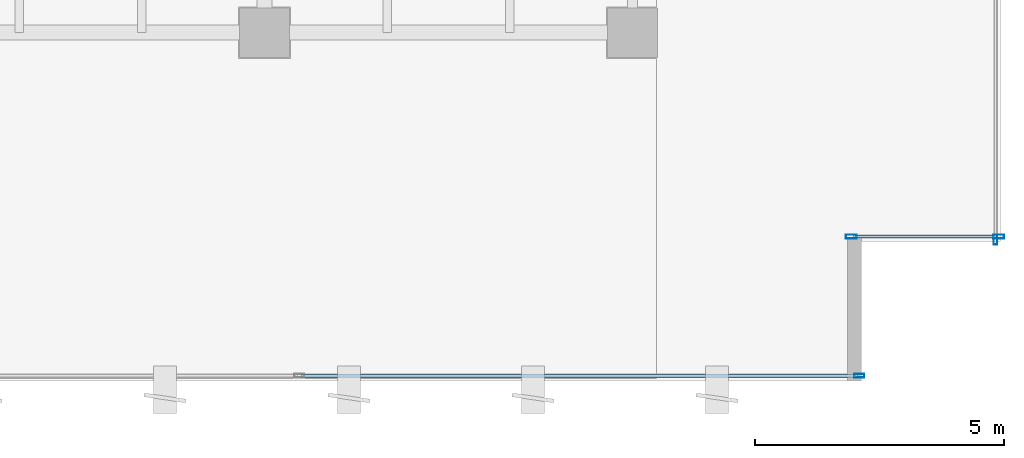
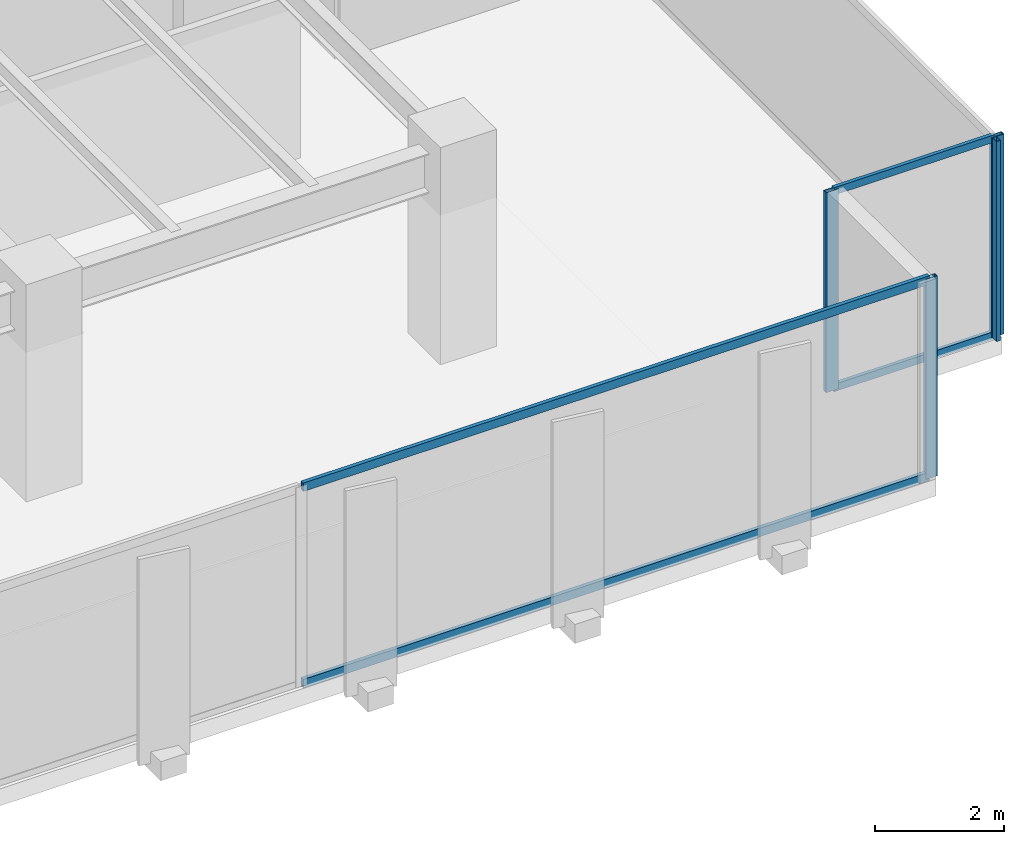
# One storey, part 23 of 37: 8 members, 3 elements without a shape of their own.
"""IFC4 building model written with IfcOpenShell, lengths in metres."""

from ifc_helpers import new_model, si_unit, direction, frame, origin, origin_2d, place, context, subcontext, project, spatial, hollow_rectangle, extrude, source, transform, mapped, material, layer, layer_set, material_profile, profile_set, type_object, type_shapes, element, aggregate, save


model = new_model("IFC4")

# Units and contexts
model_context = context("Model", 3, precision=1e-05, world=origin(), true_north=direction((0.0, 1.0)))
body_context = subcontext(model_context, "Body", "Model", "MODEL_VIEW")
ifc_project = project(units=[si_unit("LENGTHUNIT", "METRE"), si_unit("AREAUNIT", "SQUARE_METRE"), si_unit("VOLUMEUNIT", "CUBIC_METRE"), si_unit("PLANEANGLEUNIT", "RADIAN"), si_unit("MASSUNIT", "GRAM", prefix="KILO")], contexts=[model_context])

# Site, building, storey
site_placement = place(None, origin())
site = spatial("IfcSite", under=ifc_project, at=site_placement, CompositionType="ELEMENT")
building_placement = place(site_placement, origin())
building = spatial("IfcBuilding", under=site, at=building_placement, Name="Haelvirn Gate Laboratories", CompositionType="ELEMENT")
storey_placement = place(building_placement, frame((0.0, 0.0, 74.39990234375)))
storey = spatial("IfcBuildingStorey", under=building, at=storey_placement, Name="L18", CompositionType="ELEMENT", Elevation=74.39990234375)

# Curtain wall, member
ifc_material_1 = material(Name="Anodised bronze unitised aluminium & triple low-E glass", Category="aluminium")
ifc_layer_1 = layer(ifc_material_1, 0.18408203125, Name="CW-SYS-2")
ifc_layer_set_1 = layer_set([ifc_layer_1], Name="Anodised bronze unitised aluminium & triple low-E glass")
curtain_wall_type_1 = type_object("IfcCurtainWallType", Name="CW-SYS-2", PredefinedType="NOTDEFINED", material=ifc_layer_set_1)
curtain_wall_1_placement = place(storey_placement, origin())
curtain_wall_1 = element("IfcCurtainWall", 1, at=curtain_wall_1_placement, inside=storey, type_object=curtain_wall_type_1, Name="L18 Unitised Curtain Wall CW-L18-P0-E04-1", PredefinedType="NOTDEFINED")
ifc_material_2 = material(Name="Extruded aluminium 6063-T6 (anodised bronze)", Category="aluminium")
ifc_material_profile_1 = material_profile(ifc_material_2, hollow_rectangle(XDim=0.074951171875, YDim=0.199951171875, WallThickness=0.0048828125, at=origin_2d()), Name="CWM-200x75x5")
ifc_profile_set_1 = profile_set([ifc_material_profile_1], Name="Extruded aluminium 6063-T6 (anodised bronze)")
member_type_1 = type_object("IfcMemberType", Name="CWM-T200", PredefinedType="MULLION", material=ifc_profile_set_1)
shared_shape_1 = source(origin(), body_context, "Body", "SweptSolid", [
    extrude(hollow_rectangle(XDim=0.074951171875, YDim=0.199951171875, WallThickness=0.0048828125, at=origin_2d()), origin(), (0.0, 0.0, 1.0), 3.780029296875),
])
type_shapes(member_type_1, [shared_shape_1])
member_1_placement = place(storey_placement, frame((71.96240234375, 0.10009765625, 0.0), z_axis=(0.0, 0.0, 1.0), x_axis=(0.0, 1.0, 0.0)))
member_1 = element("IfcMember", 2, at=member_1_placement, type_object=member_type_1, Name="CW2 mullion 3", PredefinedType="MULLION", context=body_context, shape_type="MappedRepresentation", body=[
    mapped(shared_shape_1, transform((0.0, 0.0, 0.0), scale=1.0)),
])

curtain_wall_2_placement = place(storey_placement, origin())
curtain_wall_2 = element("IfcCurtainWall", 3, at=curtain_wall_2_placement, inside=storey, type_object=curtain_wall_type_1, Name="L18 Unitised Curtain Wall CW-L18-P0-E07", PredefinedType="NOTDEFINED")
member_2_placement = place(storey_placement, frame((74.699951171875, 2.83740234375, 0.0), z_axis=(0.0, 0.0, 1.0), x_axis=(-1.0, 0.0, 0.0)))
member_2 = element("IfcMember", 4, at=member_2_placement, type_object=member_type_1, Name="CW2 mullion 1", PredefinedType="MULLION", context=body_context, shape_type="MappedRepresentation", body=[
    mapped(shared_shape_1, transform((0.0, 0.0, 0.0), scale=1.0)),
])
aggregate(curtain_wall_2, [member_2])

# Member
ifc_material_profile_2 = material_profile(ifc_material_2, hollow_rectangle(XDim=0.070068359375, YDim=0.159912109375, WallThickness=0.0048828125, at=origin_2d()), Name="CWT-160x70x5")
ifc_profile_set_2 = profile_set([ifc_material_profile_2], Name="Extruded aluminium 6063-T6 (anodised bronze)")
member_type_2 = type_object("IfcMemberType", Name="CWT-T160", PredefinedType="USERDEFINED", material=ifc_profile_set_2)
shared_shape_2 = source(origin(), body_context, "Body", "SweptSolid", [
    extrude(hollow_rectangle(XDim=0.070068359375, YDim=0.159912109375, WallThickness=0.0048828125, at=origin_2d()), origin(), (0.0, 0.0, 1.0), 11.1875),
])
type_shapes(member_type_2, [shared_shape_2])
member_3_placement = place(storey_placement, frame((60.737548828125, 0.10009765625, 0.03515625), z_axis=(1.0, 0.0, 0.0), x_axis=(0.0, 1.0, 0.0)))
member_3 = element("IfcMember", 5, at=member_3_placement, type_object=member_type_2, Name="CW2 transom 2.1", ObjectType="TRANSOM", PredefinedType="USERDEFINED", context=body_context, shape_type="MappedRepresentation", body=[
    mapped(shared_shape_2, transform((0.0, 0.0, 0.0), scale=1.0)),
])

member_4_placement = place(storey_placement, frame((60.737548828125, 0.10009765625, 3.7451171875), z_axis=(1.0, 0.0, 0.0), x_axis=(0.0, 1.0, 0.0)))
member_4 = element("IfcMember", 6, at=member_4_placement, type_object=member_type_2, Name="CW2 transom 2.2", ObjectType="TRANSOM", PredefinedType="USERDEFINED", context=body_context, shape_type="MappedRepresentation", body=[
    mapped(shared_shape_2, transform((0.0, 0.0, 0.0), scale=1.0)),
])

aggregate(curtain_wall_1, [member_1, member_3, member_4])

# Curtain wall, members
ifc_layer_2 = layer(ifc_material_1, 0.181884765625, Name="CW-SYS-5")
ifc_layer_set_2 = layer_set([ifc_layer_2], Name="Anodised bronze unitised aluminium & triple low-E glass")
curtain_wall_type_2 = type_object("IfcCurtainWallType", Name="CW-SYS-5", PredefinedType="NOTDEFINED", material=ifc_layer_set_2)
curtain_wall_3_placement = place(storey_placement, origin())
curtain_wall_3 = element("IfcCurtainWall", 7, at=curtain_wall_3_placement, inside=storey, type_object=curtain_wall_type_2, Name="L18 Unitised Curtain Wall CW-L18-P0-E06-1", PredefinedType="NOTDEFINED")
ifc_material_profile_3 = material_profile(ifc_material_2, hollow_rectangle(XDim=0.080078125, YDim=0.219970703125, WallThickness=0.006103515625, at=origin_2d()), Name="CWM-220x80x6")
ifc_profile_set_3 = profile_set([ifc_material_profile_3], Name="Extruded aluminium 6063-T6 (anodised bronze)")
member_type_3 = type_object("IfcMemberType", Name="CWM-T220", PredefinedType="MULLION", material=ifc_profile_set_3)
shared_shape_3 = source(origin(), body_context, "Body", "SweptSolid", [
    extrude(hollow_rectangle(XDim=0.080078125, YDim=0.219970703125, WallThickness=0.006103515625, at=origin_2d()), origin(), (0.0, 0.0, 1.0), 3.780029296875),
])
type_shapes(member_type_3, [shared_shape_3])
member_5_placement = place(storey_placement, frame((71.800048828125, 2.89990234375, 0.0), z_axis=(0.0, 0.0, 1.0), x_axis=(0.0, 1.0, 0.0)))
member_5 = element("IfcMember", 8, at=member_5_placement, type_object=member_type_3, Name="CW5 mullion 1", PredefinedType="MULLION", context=body_context, shape_type="MappedRepresentation", body=[
    mapped(shared_shape_3, transform((0.0, 0.0, 0.0), scale=1.0)),
])
member_6_placement = place(storey_placement, frame((74.760009765625, 2.89990234375, 0.0), z_axis=(0.0, 0.0, 1.0), x_axis=(0.0, 1.0, 0.0)))
member_6 = element("IfcMember", 9, at=member_6_placement, type_object=member_type_3, Name="CW5 mullion 2", PredefinedType="MULLION", context=body_context, shape_type="MappedRepresentation", body=[
    mapped(shared_shape_3, transform((0.0, 0.0, 0.0), scale=1.0)),
])
ifc_material_profile_4 = material_profile(ifc_material_2, hollow_rectangle(XDim=0.06494140625, YDim=0.139892578125, WallThickness=0.00390625, at=origin_2d()), Name="CWT-140x65x4")
ifc_profile_set_4 = profile_set([ifc_material_profile_4], Name="Extruded aluminium 6063-T6 (anodised bronze)")
member_type_4 = type_object("IfcMemberType", Name="CWT-T140", PredefinedType="USERDEFINED", material=ifc_profile_set_4)
shared_shape_4 = source(origin(), body_context, "Body", "SweptSolid", [
    extrude(hollow_rectangle(XDim=0.06494140625, YDim=0.139892578125, WallThickness=0.00390625, at=origin_2d()), origin(), (0.0, 0.0, 1.0), 2.8798828125),
])
type_shapes(member_type_4, [shared_shape_4])
member_7_placement = place(storey_placement, frame((71.840087890625, 2.89990234375, 0.03271484375), z_axis=(1.0, 0.0, 0.0), x_axis=(0.0, 1.0, 0.0)))
member_7 = element("IfcMember", 10, at=member_7_placement, type_object=member_type_4, Name="CW5 transom 1.1", ObjectType="TRANSOM", PredefinedType="USERDEFINED", context=body_context, shape_type="MappedRepresentation", body=[
    mapped(shared_shape_4, transform((0.0, 0.0, 0.0), scale=1.0)),
])
member_8_placement = place(storey_placement, frame((71.840087890625, 2.89990234375, 3.74755859375), z_axis=(1.0, 0.0, 0.0), x_axis=(0.0, 1.0, 0.0)))
member_8 = element("IfcMember", 11, at=member_8_placement, type_object=member_type_4, Name="CW5 transom 1.2", ObjectType="TRANSOM", PredefinedType="USERDEFINED", context=body_context, shape_type="MappedRepresentation", body=[
    mapped(shared_shape_4, transform((0.0, 0.0, 0.0), scale=1.0)),
])
aggregate(curtain_wall_3, [member_5, member_6, member_7, member_8])

save(model, "model.ifc")
